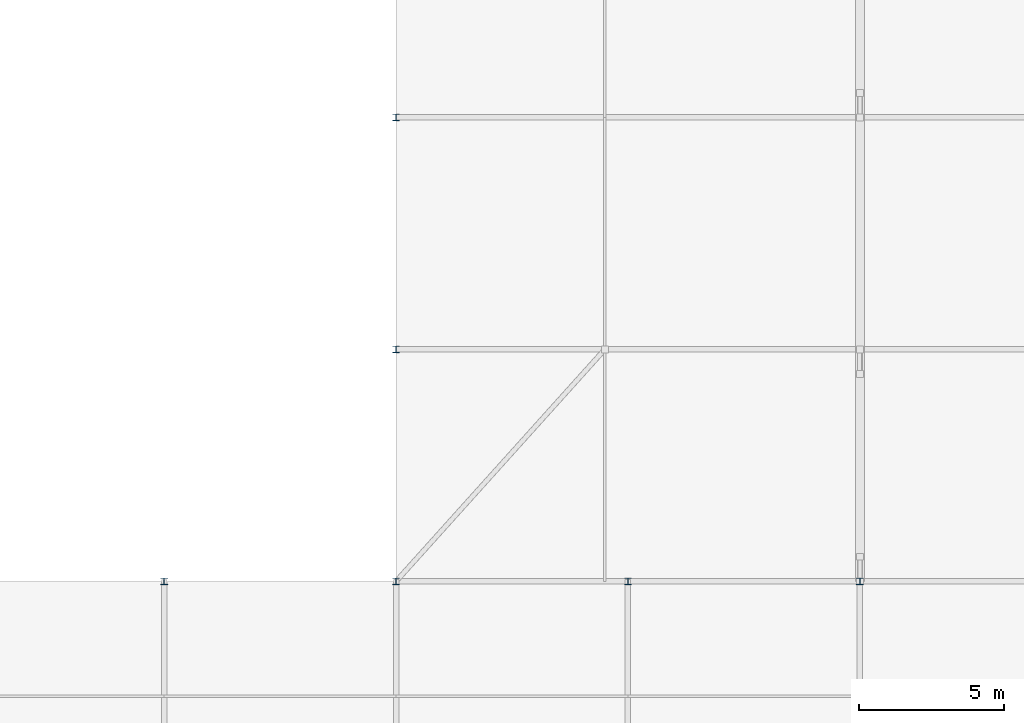
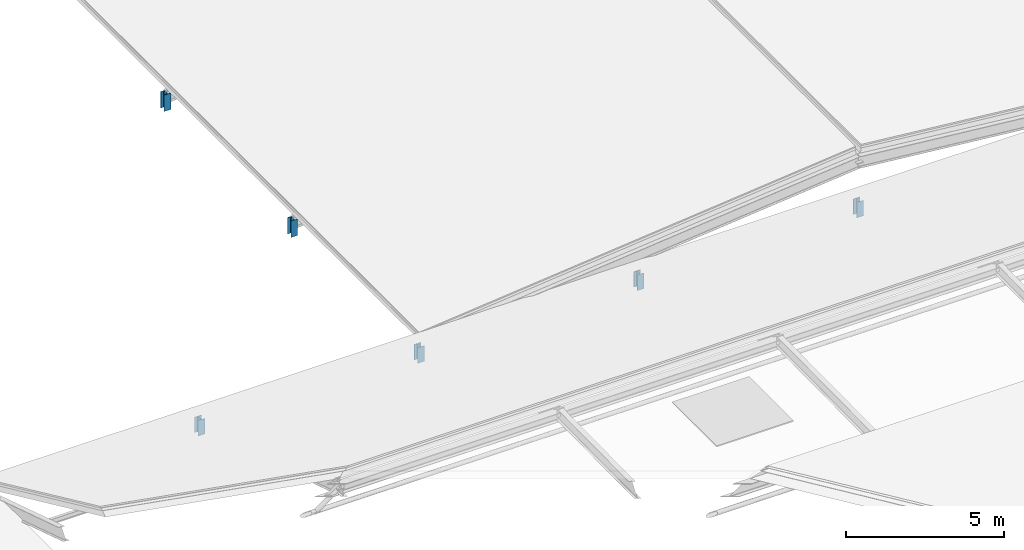
# One storey, part 23 of 54: 6 members.
"""IFC4 building model written with IfcOpenShell, lengths in metres."""

import ifcopenshell
import ifcopenshell.guid

model = None  # the IFC model being written
_history = None  # IfcOwnerHistory: only IFC2X3 demands one
_inside = {}  # id of a spatial element -> (the spatial element, [elements in it])
_under = {}  # id of a project, library or spatial element -> (it, [spatial elements below it])
_declared = {}  # id of a project -> (the project, [libraries it declares])
_typed = {}  # id of a type object -> (the type object, [elements of that type])
_made_of = {}  # id of a material, layer set ... -> (it, [elements and type objects made of it])


def new_model(schema):
    """Start an empty IFC model of exactly this schema.

    Asked for "IFC4X3", IfcOpenShell would pick the latest addendum, in which some entities
    have other attributes; the version numbers below select the first issue.
    IFC2X3 requires an IfcOwnerHistory on every rooted entity: one is made here for all.
    """
    global model, _history
    if schema == "IFC4X3":
        model = ifcopenshell.file(schema_version=(4, 3, 0, 0))
    else:
        model = ifcopenshell.file(schema=schema)
    _inside.clear()
    _under.clear()
    _declared.clear()
    _typed.clear()
    _made_of.clear()
    _history = None
    if model.schema == "IFC2X3":
        org = make("IfcOrganization", Name="unknown")
        user = make(
            "IfcPersonAndOrganization",
            ThePerson=make("IfcPerson", FamilyName="unknown"),
            TheOrganization=org,
        )
        app = make(
            "IfcApplication",
            ApplicationDeveloper=org,
            Version="unknown",
            ApplicationFullName="unknown",
            ApplicationIdentifier="unknown",
        )
        _history = make(
            "IfcOwnerHistory",
            OwningUser=user,
            OwningApplication=app,
            ChangeAction="ADDED",
            CreationDate=0,
        )
    return model


def make(cls, **values):
    """One entity of the class cls with the attributes given. An attribute that is None is left unset."""
    return model.create_entity(
        cls, **{name: value for name, value in values.items() if value is not None}
    )


def rooted(cls, **values):
    """An entity with a GlobalId (a new one), such as an element, a storey or a relation."""
    return make(cls, GlobalId=ifcopenshell.guid.new(), OwnerHistory=_history, **values)


def si_unit(unit_type, name, prefix=None):
    """IfcSIUnit, for example si_unit("LENGTHUNIT", "METRE", prefix="MILLI")."""
    return make("IfcSIUnit", UnitType=unit_type, Prefix=prefix, Name=name)


def assignment(units):
    """IfcUnitAssignment: the units of a project."""
    return None if units is None else make("IfcUnitAssignment", Units=units)


def point(xyz):
    """IfcCartesianPoint."""
    return None if xyz is None else make("IfcCartesianPoint", Coordinates=xyz)


def direction(xyz):
    """IfcDirection."""
    return None if xyz is None else make("IfcDirection", DirectionRatios=xyz)


def frame(location, z_axis=None, x_axis=None):
    """IfcAxis2Placement3D, a coordinate frame: its origin and axes. An axis left out is left unset."""
    return make(
        "IfcAxis2Placement3D",
        Location=point(location),
        Axis=direction(z_axis),
        RefDirection=direction(x_axis),
    )


def frame_2d(location, x_axis=None):
    """IfcAxis2Placement2D, a coordinate frame in the plane: its origin and x axis."""
    return make(
        "IfcAxis2Placement2D", Location=point(location), RefDirection=direction(x_axis)
    )


def origin():
    """The frame at (0, 0, 0) with its axes left unset."""
    return frame((0.0, 0.0, 0.0))


def origin_2d():
    """The frame at (0, 0) in the plane with its x axis left unset."""
    return frame_2d((0.0, 0.0))


def place(relative_to, where):
    """IfcLocalPlacement: puts the frame where relative to a parent placement (None: the world)."""
    return make(
        "IfcLocalPlacement", PlacementRelTo=relative_to, RelativePlacement=where
    )


def context(
    kind, dimensions, precision=None, world=None, true_north=None, identifier=None
):
    """IfcGeometricRepresentationContext, for example the 3D "Model" context."""
    return make(
        "IfcGeometricRepresentationContext",
        ContextIdentifier=identifier,
        ContextType=kind,
        CoordinateSpaceDimension=dimensions,
        Precision=precision,
        WorldCoordinateSystem=world,
        TrueNorth=true_north,
    )


def subcontext(parent, identifier, kind, view, scale=None):
    """IfcGeometricRepresentationSubContext, for example "Body" below "Model"."""
    return make(
        "IfcGeometricRepresentationSubContext",
        ContextIdentifier=identifier,
        ContextType=kind,
        ParentContext=parent,
        TargetScale=scale,
        TargetView=view,
    )


def project(units=None, contexts=None):
    """IfcProject with its units and contexts."""
    return rooted(
        "IfcProject",
        Name="project",
        RepresentationContexts=contexts,
        UnitsInContext=assignment(units),
    )


def spatial(cls, under=None, at=None, **own):
    """A site, building, storey or space (cls), placed at a placement, below another one or the project."""
    s = rooted(cls, ObjectPlacement=at, **own)
    if under is not None:
        _under.setdefault(under.id(), (under, []))[1].append(s)
    return s


def profile(cls, at=None, kind="AREA", **sizes):
    """A parametric profile (cls). Its sizes go by their IFC names, for example OverallWidth=200.0."""
    return make(cls, ProfileType=kind, Position=at, **sizes)


def i_section(**sizes):
    """IfcIShapeProfileDef."""
    return profile("IfcIShapeProfileDef", **sizes)


def extrude(swept, where, along, depth):
    """IfcExtrudedAreaSolid: the profile swept, set in the frame where, extruded along a direction by depth."""
    return make(
        "IfcExtrudedAreaSolid",
        SweptArea=swept,
        Position=where,
        ExtrudedDirection=direction(along),
        Depth=depth,
    )


def shape(context_of_items, identifier, shape_type, items):
    """IfcShapeRepresentation: the items that make up one representation, for example the "Body"."""
    return make(
        "IfcShapeRepresentation",
        ContextOfItems=context_of_items,
        RepresentationIdentifier=identifier,
        RepresentationType=shape_type,
        Items=items,
    )


def material(Name=None, Category=None):
    """IfcMaterial."""
    return make("IfcMaterial", Name=Name, Category=Category)


def material_profile(
    of_material, cross_section, Name=None, Category=None, Priority=None
):
    """IfcMaterialProfile: a cross section and its material."""
    return make(
        "IfcMaterialProfile",
        Name=Name,
        Material=of_material,
        Profile=cross_section,
        Priority=Priority,
        Category=Category,
    )


def profile_set(profiles, Name=None, composite=None):
    """IfcMaterialProfileSet."""
    return make(
        "IfcMaterialProfileSet",
        Name=Name,
        MaterialProfiles=profiles,
        CompositeProfile=composite,
    )


def made_of(thing, what):
    """Note that an element or type object is made of a material, layer set ...; save() writes the relation."""
    if what is not None:
        _made_of.setdefault(what.id(), (what, []))[1].append(thing)
    return thing


def type_object(cls, material=None, **own):
    """A type object (cls), such as IfcWallType, which elements share."""
    return made_of(rooted(cls, **own), material)


def element(
    cls,
    number,
    at=None,
    inside=None,
    cuts=None,
    type_object=None,
    material=None,
    context=None,
    identifier="Body",
    shape_type=None,
    held_by="IfcProductDefinitionShape",
    body=None,
    shapes=None,
    **own,
):
    """One element of the class cls, such as IfcWall. Its Tag is "e" and its number.

    at: its placement. inside: the storey or other place that contains it. cuts: it is an
    opening in that element (IfcRelVoidsElement). A single representation is given by context,
    identifier, shape_type and body (its items); several are given by shapes. held_by: the class
    of the entity that holds the representations. save() writes the other relations.
    """
    e = rooted(cls, Tag="e%d" % number, ObjectPlacement=at, **own)
    if body is not None:
        shapes = [shape(context, identifier, shape_type, body)]
    if shapes is not None:
        e.Representation = make(held_by, Representations=shapes)
    if inside is not None:
        _inside.setdefault(inside.id(), (inside, []))[1].append(e)
    if cuts is not None:
        rooted(
            "IfcRelVoidsElement", RelatingBuildingElement=cuts, RelatedOpeningElement=e
        )
    if type_object is not None:
        _typed.setdefault(type_object.id(), (type_object, []))[1].append(e)
    return made_of(e, material)


def aggregate(whole, parts):
    """IfcRelAggregates: a whole, such as a stair, and the parts it consists of."""
    return rooted("IfcRelAggregates", RelatingObject=whole, RelatedObjects=parts)


def save(model, path):
    """Write the relations noted so far, then the file.

    IfcRelAggregates (storeys below a building ...), IfcRelContainedInSpatialStructure (elements
    in a storey), IfcRelDefinesByType, IfcRelAssociatesMaterial and IfcRelDeclares: one each for
    every whole, place, type object, material and project.
    """
    for whole, parts in _under.values():
        aggregate(whole, parts)
    for where, things in _inside.values():
        rooted(
            "IfcRelContainedInSpatialStructure",
            RelatedElements=things,
            RelatingStructure=where,
        )
    for kind, things in _typed.values():
        rooted("IfcRelDefinesByType", RelatedObjects=things, RelatingType=kind)
    for what, things in _made_of.values():
        rooted("IfcRelAssociatesMaterial", RelatedObjects=things, RelatingMaterial=what)
    for by, libraries in _declared.values():
        rooted("IfcRelDeclares", RelatingContext=by, RelatedDefinitions=libraries)
    model.write(path)


model = new_model("IFC4")

# Units and contexts
model_context = context("Model", 3, precision=1e-05, world=origin(), true_north=direction((0.0, 1.0)))
body_context = subcontext(model_context, "Body", "Model", "MODEL_VIEW")
ifc_project = project(units=[si_unit("LENGTHUNIT", "METRE"), si_unit("AREAUNIT", "SQUARE_METRE"), si_unit("VOLUMEUNIT", "CUBIC_METRE"), si_unit("PLANEANGLEUNIT", "RADIAN"), si_unit("MASSUNIT", "GRAM", prefix="KILO")], contexts=[model_context])

# Site, building, storey
site_placement = place(None, origin())
site = spatial("IfcSite", under=ifc_project, at=site_placement, CompositionType="ELEMENT")
building_placement = place(site_placement, origin())
building = spatial("IfcBuilding", under=site, at=building_placement, Name="Kenh Van Central Station", CompositionType="ELEMENT")
storey_placement = place(building_placement, frame((0.0, 0.0, 15.0)))
storey = spatial("IfcBuildingStorey", under=building, at=storey_placement, Name="L03", CompositionType="ELEMENT", Elevation=15.0)

# Members
ifc_material = material(Name="Steel S355", Category="steel")
ifc_material_profile = material_profile(ifc_material, i_section(OverallWidth=0.239990234375, OverallDepth=0.22998046875, WebThickness=0.007568359375, FlangeThickness=0.011962890625, FilletRadius=0.02099609375, at=origin_2d()), Name="HEA 240")
ifc_profile_set = profile_set([ifc_material_profile], Name="Steel S355")
member_type = type_object("IfcMemberType", Name="MEM-ROOF-POST240", PredefinedType="POST", material=ifc_profile_set)
for number, where, z_axis, x_axis, name in (
    (1, (56.0, 40.0, -0.949951171875), (0.0, 0.0, 1.0), (1.0, 0.0, 0.0), "L03 roof eave post 044"),
    (2, (64.0, 40.0, -0.949951171875), (0.0, 0.0, 1.0), (1.0, 0.0, 0.0), "L03 roof eave post 047"),
    (3, (72.0, 40.0, -0.949951171875), (0.0, 0.0, 1.0), (1.0, 0.0, 0.0), "L03 roof eave post 050"),
    (4, (80.0, 40.0, -0.949951171875), (0.0, 0.0, 1.0), (1.0, 0.0, 0.0), "L03 roof eave post 053"),
):
    element("IfcMember", number, at=place(storey_placement, frame(where, z_axis=z_axis, x_axis=x_axis)), inside=storey, type_object=member_type, Name=name, PredefinedType="POST", context=body_context, shape_type="SweptSolid", body=[
        extrude(i_section(OverallWidth=0.239990234375, OverallDepth=0.22998046875, WebThickness=0.007568359375, FlangeThickness=0.011962890625, FilletRadius=0.02099609375, at=origin_2d()), origin(), (0.0, 0.0, 1.0), 0.59814453125),
    ])
for number, where, z_axis, x_axis, name in (
    (5, (64.0, 48.0, -0.949951171875), (0.0, 0.0, 1.0), (1.0, 0.0, 0.0), "L03 roof eave post 076"),
    (6, (64.0, 56.0, -0.949951171875), (0.0, 0.0, 1.0), (1.0, 0.0, 0.0), "L03 roof eave post 078"),
):
    element("IfcMember", number, at=place(storey_placement, frame(where, z_axis=z_axis, x_axis=x_axis)), inside=storey, type_object=member_type, Name=name, PredefinedType="POST", context=body_context, shape_type="SweptSolid", body=[
        extrude(i_section(OverallWidth=0.239990234375, OverallDepth=0.22998046875, WebThickness=0.007568359375, FlangeThickness=0.011962890625, FilletRadius=0.02099609375, at=origin_2d()), origin(), (0.0, 0.0, 1.0), 0.6328125),
    ])

save(model, "model.ifc")
